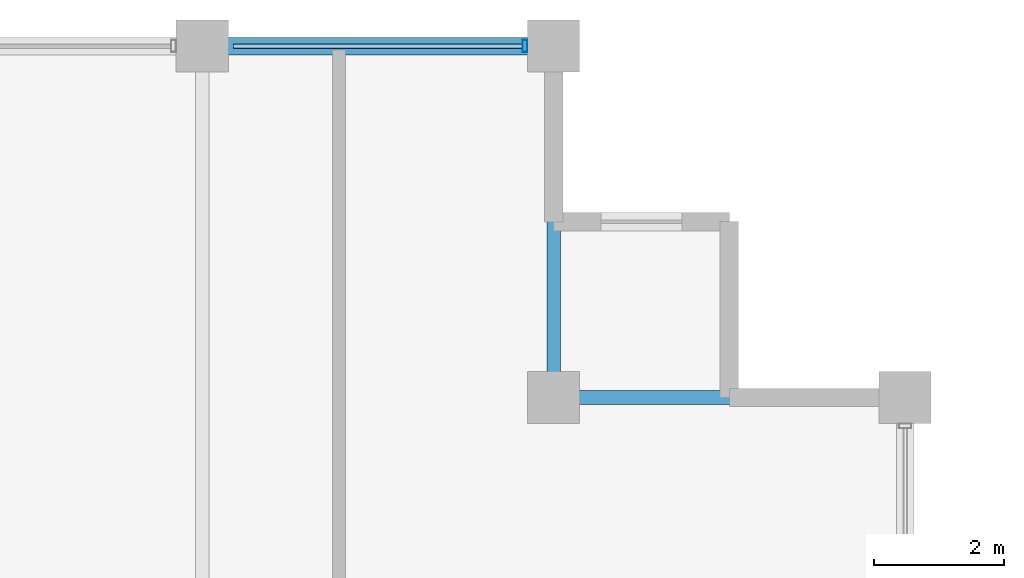
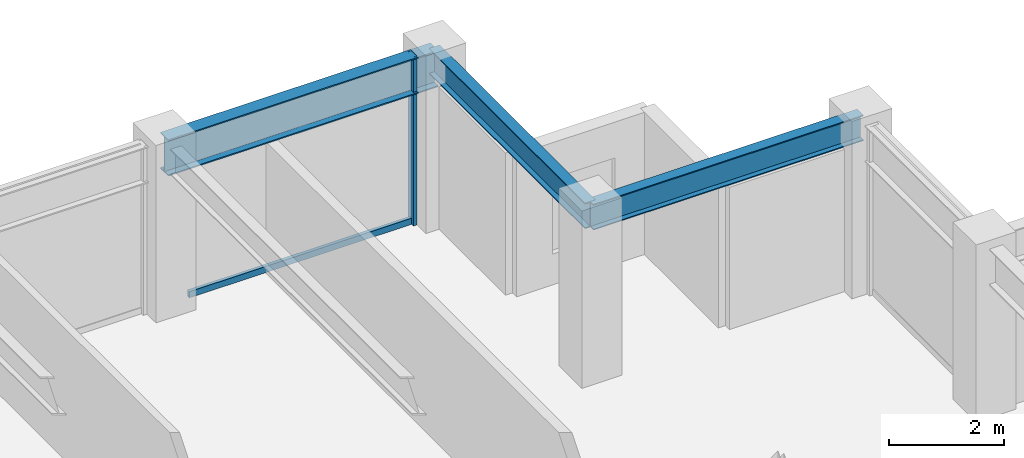
# One storey, part 21 of 30: 3 beams, 2 members, 1 element without a shape of its own.
"""IFC4 building model written with IfcOpenShell, lengths in metres."""

from ifc_helpers import new_model, si_unit, direction, frame, origin, origin_2d, place, context, subcontext, project, spatial, hollow_rectangle, i_section, extrude, material, layer, layer_set, material_profile, profile_set, type_object, element, aggregate, save


model = new_model("IFC4")

# Units and contexts
model_context = context("Model", 3, precision=1e-05, world=origin(), true_north=direction((0.0, 1.0)))
body_context = subcontext(model_context, "Body", "Model", "MODEL_VIEW")
ifc_project = project(units=[si_unit("LENGTHUNIT", "METRE"), si_unit("AREAUNIT", "SQUARE_METRE"), si_unit("VOLUMEUNIT", "CUBIC_METRE"), si_unit("PLANEANGLEUNIT", "RADIAN"), si_unit("MASSUNIT", "GRAM", prefix="KILO")], contexts=[model_context])

# Site, building, storey
site_placement = place(None, origin())
site = spatial("IfcSite", under=ifc_project, at=site_placement, CompositionType="ELEMENT")
building_placement = place(site_placement, origin())
building = spatial("IfcBuilding", under=site, at=building_placement, Name="Surkhivell Harbour Commons", CompositionType="ELEMENT")
storey_placement = place(building_placement, frame((0.0, 0.0, 227.25)))
storey = spatial("IfcBuildingStorey", under=building, at=storey_placement, Name="L59", CompositionType="ELEMENT", Elevation=227.25)

# Beams
ifc_material_1 = material(Name="Steel S355", Category="steel")
ifc_material_profile_1 = material_profile(ifc_material_1, i_section(OverallWidth=0.2119140625, OverallDepth=0.5439453125, WebThickness=0.0126953125, FlangeThickness=0.021240234375, at=origin_2d()), Name="UB533x210x122")
ifc_profile_set_1 = profile_set([ifc_material_profile_1], Name="Steel S355")
beam_type_1 = type_object("IfcBeamType", Name="BM-GRD-533A", PredefinedType="BEAM", material=ifc_profile_set_1)
beam_1_placement = place(storey_placement, frame((16.199951171875, 20.5, 3.298095703125), z_axis=(0.0, 1.0, 0.0), x_axis=(-1.0, 0.0, 0.0)))
element("IfcBeam", 1, at=beam_1_placement, inside=storey, type_object=beam_type_1, Name="L59 Floor Girder (16.2,20.5)", PredefinedType="BEAM", context=body_context, shape_type="SweptSolid", body=[
    extrude(i_section(OverallWidth=0.2119140625, OverallDepth=0.5439453125, WebThickness=0.0126953125, FlangeThickness=0.021240234375, at=origin_2d()), origin(), (0.0, 0.0, 1.0), 5.39990234375),
])
beam_2_placement = place(storey_placement, frame((16.199951171875, 20.5, 3.298095703125), z_axis=(1.0, 0.0, 0.0), x_axis=(0.0, 1.0, 0.0)))
element("IfcBeam", 2, at=beam_2_placement, inside=storey, type_object=beam_type_1, Name="L59 Floor Girder (16.2,20.5)", PredefinedType="BEAM", context=body_context, shape_type="SweptSolid", body=[
    extrude(i_section(OverallWidth=0.2119140625, OverallDepth=0.5439453125, WebThickness=0.0126953125, FlangeThickness=0.021240234375, at=origin_2d()), origin(), (0.0, 0.0, 1.0), 5.400146484375),
])
ifc_material_profile_2 = material_profile(ifc_material_1, i_section(OverallWidth=0.26806640625, OverallDepth=0.77001953125, WebThickness=0.015625, FlangeThickness=0.025390625, at=origin_2d()), Name="UB762x267x197")
ifc_profile_set_2 = profile_set([ifc_material_profile_2], Name="Steel S355")
beam_type_2 = type_object("IfcBeamType", Name="BM-SPN-762", PredefinedType="SPANDREL", material=ifc_profile_set_2)
beam_3_placement = place(storey_placement, frame((10.800048828125, 25.89990234375, 3.18505859375), z_axis=(1.0, 0.0, 0.0), x_axis=(0.0, 1.0, 0.0)))
element("IfcBeam", 3, at=beam_3_placement, inside=storey, type_object=beam_type_2, Name="L59 Tube Spandrel (10.8,25.9)", PredefinedType="SPANDREL", context=body_context, shape_type="SweptSolid", body=[
    extrude(i_section(OverallWidth=0.26806640625, OverallDepth=0.77001953125, WebThickness=0.015625, FlangeThickness=0.025390625, at=origin_2d()), origin(), (0.0, 0.0, 1.0), 5.39990234375),
])

# Curtain wall, members
ifc_material_2 = material(Name="Anodised pale-metal aluminium and insulated glazing", Category="aluminium")
ifc_layer = layer(ifc_material_2, 0.18994140625)
ifc_layer_set = layer_set([ifc_layer], Name="Anodised pale-metal aluminium and insulated glazing")
curtain_wall_type = type_object("IfcCurtainWallType", Name="CW-SYS-Z3", PredefinedType="NOTDEFINED", material=ifc_layer_set)
curtain_wall_placement = place(storey_placement, origin())
curtain_wall = element("IfcCurtainWall", 4, at=curtain_wall_placement, inside=storey, type_object=curtain_wall_type, Name="L59 Curtain Wall CW-L59-E07S1", PredefinedType="NOTDEFINED")
ifc_material_3 = material(Name="Anodised pale-metal aluminium alloy 6063-T6", Category="aluminium")
ifc_material_profile_3 = material_profile(ifc_material_3, hollow_rectangle(XDim=0.074951171875, YDim=0.18994140625, WallThickness=0.00390625, at=origin_2d()), Name="ALU-MULL-75x190")
ifc_profile_set_3 = profile_set([ifc_material_profile_3], Name="Anodised pale-metal aluminium alloy 6063-T6")
member_type_1 = type_object("IfcMemberType", Name="CWM-190", PredefinedType="MULLION", material=ifc_profile_set_3)
member_1_placement = place(storey_placement, frame((15.760498046875, 25.89990234375, 0.0), z_axis=(0.0, 0.0, 1.0), x_axis=(-1.0, 0.0, 0.0)))
member_1 = element("IfcMember", 5, at=member_1_placement, type_object=member_type_1, Name="CW-Z3 mullion 1", PredefinedType="MULLION", context=body_context, shape_type="SweptSolid", body=[
    extrude(hollow_rectangle(XDim=0.074951171875, YDim=0.18994140625, WallThickness=0.00390625, at=origin_2d()), origin(), (0.0, 0.0, 1.0), 3.570068359375),
])
ifc_material_4 = material(Name="Champagne anodised aluminium alloy 6063-T6", Category="aluminium")
ifc_material_profile_4 = material_profile(ifc_material_4, hollow_rectangle(XDim=0.070068359375, YDim=0.1298828125, WallThickness=0.00341796875, at=origin_2d()), Name="ALU-TRAN-70x130")
ifc_profile_set_4 = profile_set([ifc_material_profile_4], Name="Champagne anodised aluminium alloy 6063-T6")
member_type_2 = type_object("IfcMemberType", Name="CWT-130", PredefinedType="USERDEFINED", material=ifc_profile_set_4)
member_2_placement = place(storey_placement, frame((15.722900390625, 25.89990234375, 0.06494140625), z_axis=(-1.0, 0.0, 0.0), x_axis=(0.0, -1.0, 0.0)))
member_2 = element("IfcMember", 6, at=member_2_placement, type_object=member_type_2, Name="CW-Z3 transom 1.1", ObjectType="TRANSOM", PredefinedType="USERDEFINED", context=body_context, shape_type="SweptSolid", body=[
    extrude(hollow_rectangle(XDim=0.070068359375, YDim=0.1298828125, WallThickness=0.00341796875, at=origin_2d()), origin(), (0.0, 0.0, 1.0), 4.44580078125),
])
aggregate(curtain_wall, [member_1, member_2])

save(model, "model.ifc")
